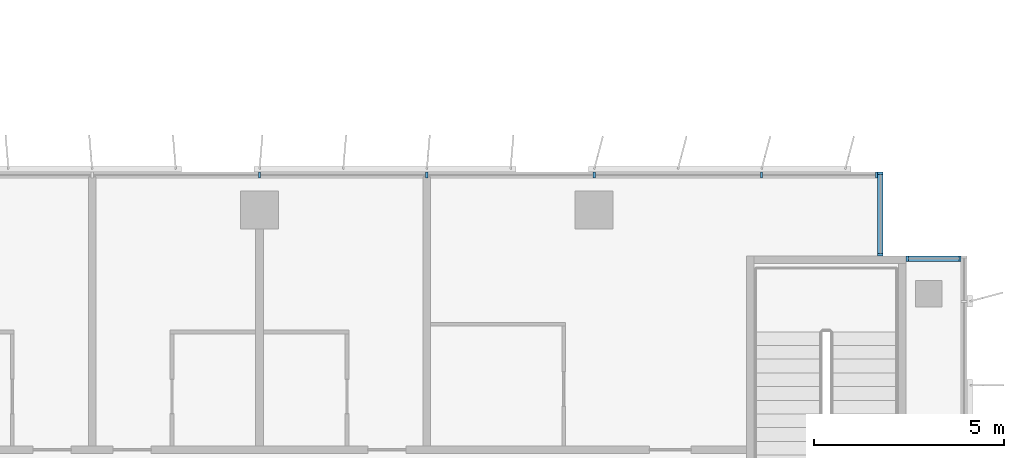
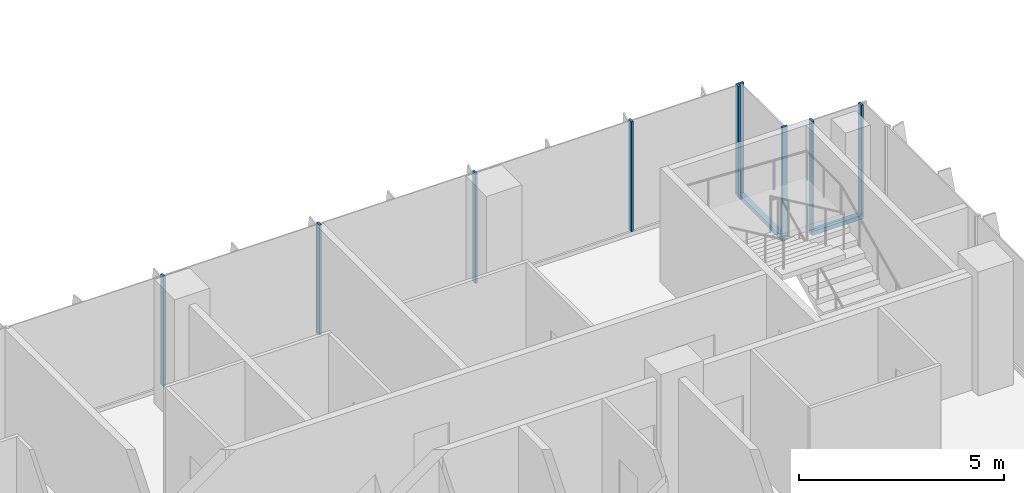
# One storey, part 4 of 21: 11 members, 3 elements without a shape of their own.
"""IFC4 building model written with IfcOpenShell, lengths in metres."""

from ifc_helpers import new_model, si_unit, direction, frame, origin, origin_2d, place, context, subcontext, project, spatial, rectangle, extrude, source, transform, mapped, material, material_profile, profile_set, type_object, element, aggregate, save


model = new_model("IFC4")

# Units and contexts
model_context = context("Model", 3, precision=1e-05, world=origin(), true_north=direction((0.0, 1.0)))
body_context = subcontext(model_context, "Body", "Model", "MODEL_VIEW")
ifc_project = project(units=[si_unit("LENGTHUNIT", "METRE"), si_unit("AREAUNIT", "SQUARE_METRE"), si_unit("VOLUMEUNIT", "CUBIC_METRE"), si_unit("PLANEANGLEUNIT", "RADIAN"), si_unit("MASSUNIT", "GRAM", prefix="KILO")], contexts=[model_context])

# Site, building, storey
site_placement = place(None, origin())
site = spatial("IfcSite", under=ifc_project, at=site_placement, CompositionType="ELEMENT")
building_placement = place(site_placement, origin())
building = spatial("IfcBuilding", under=site, at=building_placement, Name="Kemantara Hotel Tower", CompositionType="ELEMENT")
storey_placement = place(building_placement, frame((0.0, 0.0, 156.800048828125)))
storey = spatial("IfcBuildingStorey", under=building, at=storey_placement, Name="L38", CompositionType="ELEMENT", Elevation=156.800048828125)

# Curtain wall, member
ifc_material_1 = material(Name="Low-E tinted double insulated glass 36 mm", Category="glass")
curtain_wall_type = type_object("IfcCurtainWallType", Name="TOWER CURTAIN WALL, FRONT FACES", PredefinedType="USERDEFINED", material=ifc_material_1)
curtain_wall_1_placement = place(storey_placement, origin())
curtain_wall_1 = element("IfcCurtainWall", 1, at=curtain_wall_1_placement, inside=storey, type_object=curtain_wall_type, Name="CW4 L38 T3-R12-1", ObjectType="TOWER CURTAIN WALL, FRONT FACES", PredefinedType="USERDEFINED")
ifc_material_2 = material(Name="Aluminium 6063-T6 bronze anodised", Category="aluminium")
ifc_material_profile_1 = material_profile(ifc_material_2, rectangle(XDim=0.14990234375, YDim=0.1201171875, at=origin_2d()), Name="TOWER CURTAIN WALL, FRONT FACES TRANSOM")
ifc_profile_set_1 = profile_set([ifc_material_profile_1], Name="Aluminium 6063-T6 bronze anodised")
member_type_1 = type_object("IfcMemberType", Name="TOWER CURTAIN WALL, FRONT FACES TRANSOM", PredefinedType="USERDEFINED", material=ifc_profile_set_1)
member_1_placement = place(storey_placement, frame((63.449951171875, 19.72509765625, 0.06005859375), z_axis=(-1.0, 0.0, 0.0), x_axis=(0.0, -1.0, 0.0)))
member_1 = element("IfcMember", 2, at=member_1_placement, type_object=member_type_1, Name="CW4 sill transom T3-R12-1", ObjectType="TRANSOM", PredefinedType="USERDEFINED", context=body_context, shape_type="SweptSolid", body=[
    extrude(rectangle(XDim=0.14990234375, YDim=0.1201171875, at=origin_2d()), origin(), (0.0, 0.0, 1.0), 1.449951171875),
])

curtain_wall_2_placement = place(storey_placement, origin())
curtain_wall_2 = element("IfcCurtainWall", 3, at=curtain_wall_2_placement, inside=storey, type_object=curtain_wall_type, Name="CW4 L38 T3-R13-1", ObjectType="TOWER CURTAIN WALL, FRONT FACES", PredefinedType="USERDEFINED")
member_2_placement = place(storey_placement, frame((61.324951171875, 19.800048828125, 0.06005859375), z_axis=(0.0, 1.0, 0.0), x_axis=(-1.0, 0.0, 0.0)))
member_2 = element("IfcMember", 4, at=member_2_placement, type_object=member_type_1, Name="CW4 sill transom T3-R13-1", ObjectType="TRANSOM", PredefinedType="USERDEFINED", context=body_context, shape_type="SweptSolid", body=[
    extrude(rectangle(XDim=0.14990234375, YDim=0.1201171875, at=origin_2d()), origin(), (0.0, 0.0, 1.0), 2.199951171875),
])

# Curtain wall, members
curtain_wall_3_placement = place(storey_placement, origin())
curtain_wall_3 = element("IfcCurtainWall", 5, at=curtain_wall_3_placement, inside=storey, type_object=curtain_wall_type, Name="CW4 L38 T3-R14-1", ObjectType="TOWER CURTAIN WALL, FRONT FACES", PredefinedType="USERDEFINED")
ifc_material_profile_2 = material_profile(ifc_material_2, rectangle(XDim=0.14990234375, YDim=0.06005859375, at=origin_2d()), Name="TOWER CURTAIN WALL, FRONT FACES MULLION")
ifc_profile_set_2 = profile_set([ifc_material_profile_2], Name="Aluminium 6063-T6 bronze anodised")
member_type_2 = type_object("IfcMemberType", Name="TOWER CURTAIN WALL, FRONT FACES MULLION", PredefinedType="MULLION", material=ifc_profile_set_2)
shared_shape = source(origin(), body_context, "Body", "SweptSolid", [
    extrude(rectangle(XDim=0.14990234375, YDim=0.06005859375, at=origin_2d()), origin(), (0.0, 0.0, 1.0), 3.280029296875),
])
member_3_placement = place(storey_placement, frame((61.219970703125, 21.925048828125, 0.119873046875), z_axis=(0.0, 0.0, 1.0), x_axis=(0.0, -1.0, 0.0)))
member_3 = element("IfcMember", 6, at=member_3_placement, type_object=member_type_2, Name="CW4 mullion T3-R14-1.1", PredefinedType="MULLION", context=body_context, shape_type="MappedRepresentation", body=[
    mapped(shared_shape, transform((0.0, 0.0, 0.0))),
])
member_4_placement = place(storey_placement, frame((58.199951171875, 21.925048828125, 0.119873046875), z_axis=(0.0, 0.0, 1.0), x_axis=(0.0, -1.0, 0.0)))
member_4 = element("IfcMember", 7, at=member_4_placement, type_object=member_type_2, Name="CW4 mullion T3-R14-1.2", PredefinedType="MULLION", context=body_context, shape_type="MappedRepresentation", body=[
    mapped(shared_shape, transform((0.0, 0.0, 0.0))),
])
member_5_placement = place(storey_placement, frame((53.800048828125, 21.925048828125, 0.119873046875), z_axis=(0.0, 0.0, 1.0), x_axis=(0.0, -1.0, 0.0)))
member_5 = element("IfcMember", 8, at=member_5_placement, type_object=member_type_2, Name="CW4 mullion T3-R14-1.3", PredefinedType="MULLION", context=body_context, shape_type="MappedRepresentation", body=[
    mapped(shared_shape, transform((0.0, 0.0, 0.0))),
])
member_6_placement = place(storey_placement, frame((49.39990234375, 21.925048828125, 0.119873046875), z_axis=(0.0, 0.0, 1.0), x_axis=(0.0, -1.0, 0.0)))
member_6 = element("IfcMember", 9, at=member_6_placement, type_object=member_type_2, Name="CW4 mullion T3-R14-1.4", PredefinedType="MULLION", context=body_context, shape_type="MappedRepresentation", body=[
    mapped(shared_shape, transform((0.0, 0.0, 0.0))),
])
member_7_placement = place(storey_placement, frame((45.0, 21.925048828125, 0.119873046875), z_axis=(0.0, 0.0, 1.0), x_axis=(0.0, -1.0, 0.0)))
member_7 = element("IfcMember", 10, at=member_7_placement, type_object=member_type_2, Name="CW4 mullion T3-R14-1.5", PredefinedType="MULLION", context=body_context, shape_type="MappedRepresentation", body=[
    mapped(shared_shape, transform((0.0, 0.0, 0.0))),
])
aggregate(curtain_wall_3, [member_3, member_4, member_5, member_6, member_7])

# Member
member_8_placement = place(storey_placement, frame((63.419921875, 19.72509765625, 0.119873046875), z_axis=(0.0, 0.0, 1.0), x_axis=(0.0, -1.0, 0.0)))
member_8 = element("IfcMember", 11, at=member_8_placement, type_object=member_type_2, Name="CW4 mullion T3-R12-1.1", PredefinedType="MULLION", context=body_context, shape_type="MappedRepresentation", body=[
    mapped(shared_shape, transform((0.0, 0.0, 0.0))),
])

member_9_placement = place(storey_placement, frame((62.030029296875, 19.72509765625, 0.119873046875), z_axis=(0.0, 0.0, 1.0), x_axis=(0.0, -1.0, 0.0)))
member_9 = element("IfcMember", 12, at=member_9_placement, type_object=member_type_2, Name="CW4 mullion T3-R12-1.2", PredefinedType="MULLION", context=body_context, shape_type="MappedRepresentation", body=[
    mapped(shared_shape, transform((0.0, 0.0, 0.0))),
])

aggregate(curtain_wall_1, [member_1, member_8, member_9])

member_10_placement = place(storey_placement, frame((61.324951171875, 19.830078125, 0.119873046875), z_axis=(0.0, 0.0, 1.0), x_axis=(-1.0, 0.0, 0.0)))
member_10 = element("IfcMember", 13, at=member_10_placement, type_object=member_type_2, Name="CW4 mullion T3-R13-1.1", PredefinedType="MULLION", context=body_context, shape_type="MappedRepresentation", body=[
    mapped(shared_shape, transform((0.0, 0.0, 0.0))),
])

member_11_placement = place(storey_placement, frame((61.324951171875, 21.969970703125, 0.119873046875), z_axis=(0.0, 0.0, 1.0), x_axis=(-1.0, 0.0, 0.0)))
member_11 = element("IfcMember", 14, at=member_11_placement, type_object=member_type_2, Name="CW4 mullion T3-R13-1.2", PredefinedType="MULLION", context=body_context, shape_type="MappedRepresentation", body=[
    mapped(shared_shape, transform((0.0, 0.0, 0.0))),
])

aggregate(curtain_wall_2, [member_2, member_10, member_11])

save(model, "model.ifc")
